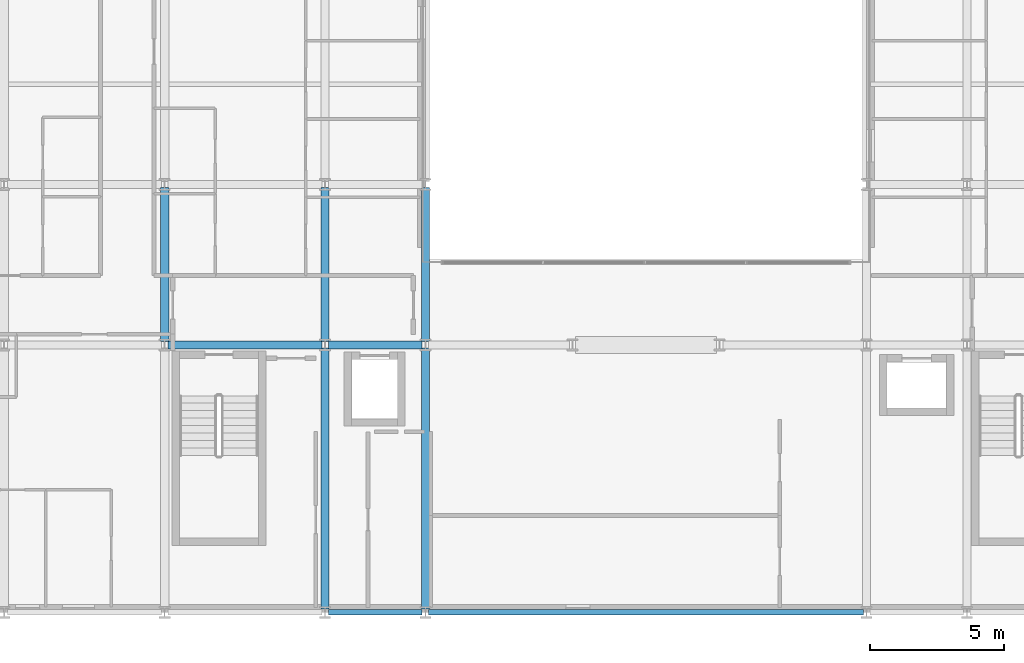
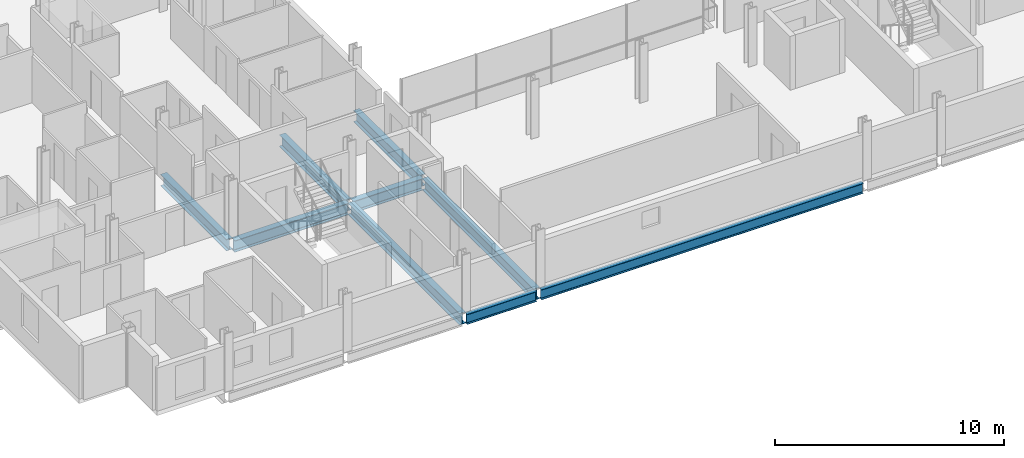
# One storey, part 3 of 38: 9 beams.
"""IFC4 building model written with IfcOpenShell, lengths in metres."""

from ifc_helpers import new_model, si_unit, direction, frame, origin, origin_2d, place, context, subcontext, project, spatial, i_section, extrude, material, material_profile, profile_set, type_object, element, save


model = new_model("IFC4")

# Units and contexts
model_context = context("Model", 3, precision=1e-05, world=origin(), true_north=direction((0.0, 1.0)))
body_context = subcontext(model_context, "Body", "Model", "MODEL_VIEW")
ifc_project = project(units=[si_unit("LENGTHUNIT", "METRE"), si_unit("AREAUNIT", "SQUARE_METRE"), si_unit("VOLUMEUNIT", "CUBIC_METRE"), si_unit("PLANEANGLEUNIT", "RADIAN"), si_unit("MASSUNIT", "GRAM", prefix="KILO")], contexts=[model_context])

# Site, building, storey
site_placement = place(None, origin())
site = spatial("IfcSite", under=ifc_project, at=site_placement, CompositionType="ELEMENT")
building_placement = place(site_placement, origin())
building = spatial("IfcBuilding", under=site, at=building_placement, Name="Brevholm Reach", CompositionType="ELEMENT")
storey_placement = place(building_placement, frame((0.0, 0.0, 71.39990234375)))
storey = spatial("IfcBuildingStorey", under=building, at=storey_placement, Name="L20", CompositionType="ELEMENT", Elevation=71.39990234375)

# Beams
ifc_material_1 = material(Name="Structural Steel S355J2", Category="steel")
ifc_material_profile_1 = material_profile(ifc_material_1, i_section(OverallWidth=0.210693359375, OverallDepth=0.53955078125, WebThickness=0.01171875, FlangeThickness=0.018798828125, FilletRadius=0.0126953125, at=origin_2d()), Name="UKB 533x210x109")
ifc_profile_set_1 = profile_set([ifc_material_profile_1], Name="Structural Steel S355J2")
beam_type_1 = type_object("IfcBeamType", Name="BM-SP539", PredefinedType="SPANDREL", material=ifc_profile_set_1)
beam_1_placement = place(storey_placement, frame((18.1201171875, 0.0, -0.499755859375), z_axis=(1.0, 0.0, 0.0), x_axis=(0.0, 1.0, 0.0)))
element("IfcBeam", 1, at=beam_1_placement, inside=storey, type_object=beam_type_1, Name="L20 SP-01B Framing Beam", PredefinedType="SPANDREL", context=body_context, shape_type="SweptSolid", body=[
    extrude(i_section(OverallWidth=0.210693359375, OverallDepth=0.53955078125, WebThickness=0.01171875, FlangeThickness=0.018798828125, FilletRadius=0.0126953125, at=origin_2d()), origin(), (0.0, 0.0, 1.0), 3.509765625),
])
beam_2_placement = place(storey_placement, frame((21.8701171875, 0.0, -0.499755859375), z_axis=(1.0, 0.0, 0.0), x_axis=(0.0, 1.0, 0.0)))
element("IfcBeam", 2, at=beam_2_placement, inside=storey, type_object=beam_type_1, Name="L20 SP-01B Framing Beam", PredefinedType="SPANDREL", context=body_context, shape_type="SweptSolid", body=[
    extrude(i_section(OverallWidth=0.210693359375, OverallDepth=0.53955078125, WebThickness=0.01171875, FlangeThickness=0.018798828125, FilletRadius=0.0126953125, at=origin_2d()), origin(), (0.0, 0.0, 1.0), 16.259765625),
])
ifc_material_2 = material(Name="Structural Steel S355J2", Category="steel")
ifc_material_profile_2 = material_profile(ifc_material_2, i_section(OverallWidth=0.30712890625, OverallDepth=0.6201171875, WebThickness=0.01416015625, FlangeThickness=0.023681640625, FilletRadius=0.0166015625, at=origin_2d()), Name="UKB 610x305x179")
ifc_profile_set_2 = profile_set([ifc_material_profile_2], Name="Structural Steel S355J2")
beam_type_2 = type_object("IfcBeamType", Name="BM-UKB610H", PredefinedType="USERDEFINED", material=ifc_profile_set_2)
beam_3_placement = place(storey_placement, frame((12.1201171875, 10.0, -0.5400390625), z_axis=(1.0, 0.0, 0.0), x_axis=(0.0, 1.0, 0.0)))
element("IfcBeam", 3, at=beam_3_placement, inside=storey, type_object=beam_type_2, Name="L20 G-06 Framing Beam", ObjectType="GIRDER", PredefinedType="USERDEFINED", context=body_context, shape_type="SweptSolid", body=[
    extrude(i_section(OverallWidth=0.30712890625, OverallDepth=0.6201171875, WebThickness=0.01416015625, FlangeThickness=0.023681640625, FilletRadius=0.0166015625, at=origin_2d()), origin(), (0.0, 0.0, 1.0), 5.759765625),
])
beam_4_placement = place(storey_placement, frame((18.1201171875, 10.0, -0.5400390625), z_axis=(1.0, 0.0, 0.0), x_axis=(0.0, 1.0, 0.0)))
element("IfcBeam", 4, at=beam_4_placement, inside=storey, type_object=beam_type_2, Name="L20 G-06 Framing Beam", ObjectType="GIRDER", PredefinedType="USERDEFINED", context=body_context, shape_type="SweptSolid", body=[
    extrude(i_section(OverallWidth=0.30712890625, OverallDepth=0.6201171875, WebThickness=0.01416015625, FlangeThickness=0.023681640625, FilletRadius=0.0166015625, at=origin_2d()), origin(), (0.0, 0.0, 1.0), 3.509765625),
])
beam_5_placement = place(storey_placement, frame((12.0, 10.1201171875, -0.5400390625), z_axis=(0.0, 1.0, 0.0), x_axis=(-1.0, 0.0, 0.0)))
element("IfcBeam", 5, at=beam_5_placement, inside=storey, type_object=beam_type_2, Name="L20 G-06 Framing Beam", ObjectType="GIRDER", PredefinedType="USERDEFINED", context=body_context, shape_type="SweptSolid", body=[
    extrude(i_section(OverallWidth=0.30712890625, OverallDepth=0.6201171875, WebThickness=0.01416015625, FlangeThickness=0.023681640625, FilletRadius=0.0166015625, at=origin_2d()), origin(), (0.0, 0.0, 1.0), 5.759765625),
])
beam_6_placement = place(storey_placement, frame((18.0, 0.1201171875, -0.5400390625), z_axis=(0.0, 1.0, 0.0), x_axis=(-1.0, 0.0, 0.0)))
element("IfcBeam", 6, at=beam_6_placement, inside=storey, type_object=beam_type_2, Name="L20 G-06 Framing Beam", ObjectType="GIRDER", PredefinedType="USERDEFINED", context=body_context, shape_type="SweptSolid", body=[
    extrude(i_section(OverallWidth=0.30712890625, OverallDepth=0.6201171875, WebThickness=0.01416015625, FlangeThickness=0.023681640625, FilletRadius=0.0166015625, at=origin_2d()), origin(), (0.0, 0.0, 1.0), 9.759765625),
])
beam_7_placement = place(storey_placement, frame((18.0, 10.1201171875, -0.5400390625), z_axis=(0.0, 1.0, 0.0), x_axis=(-1.0, 0.0, 0.0)))
element("IfcBeam", 7, at=beam_7_placement, inside=storey, type_object=beam_type_2, Name="L20 G-06 Framing Beam", ObjectType="GIRDER", PredefinedType="USERDEFINED", context=body_context, shape_type="SweptSolid", body=[
    extrude(i_section(OverallWidth=0.30712890625, OverallDepth=0.6201171875, WebThickness=0.01416015625, FlangeThickness=0.023681640625, FilletRadius=0.0166015625, at=origin_2d()), origin(), (0.0, 0.0, 1.0), 5.759765625),
])
beam_8_placement = place(storey_placement, frame((21.75, 0.1201171875, -0.5400390625), z_axis=(0.0, 1.0, 0.0), x_axis=(-1.0, 0.0, 0.0)))
element("IfcBeam", 8, at=beam_8_placement, inside=storey, type_object=beam_type_2, Name="L20 G-06 Framing Beam", ObjectType="GIRDER", PredefinedType="USERDEFINED", context=body_context, shape_type="SweptSolid", body=[
    extrude(i_section(OverallWidth=0.30712890625, OverallDepth=0.6201171875, WebThickness=0.01416015625, FlangeThickness=0.023681640625, FilletRadius=0.0166015625, at=origin_2d()), origin(), (0.0, 0.0, 1.0), 9.759765625),
])
beam_9_placement = place(storey_placement, frame((21.75, 10.1201171875, -0.5400390625), z_axis=(0.0, 1.0, 0.0), x_axis=(-1.0, 0.0, 0.0)))
element("IfcBeam", 9, at=beam_9_placement, inside=storey, type_object=beam_type_2, Name="L20 G-06 Framing Beam", ObjectType="GIRDER", PredefinedType="USERDEFINED", context=body_context, shape_type="SweptSolid", body=[
    extrude(i_section(OverallWidth=0.30712890625, OverallDepth=0.6201171875, WebThickness=0.01416015625, FlangeThickness=0.023681640625, FilletRadius=0.0166015625, at=origin_2d()), origin(), (0.0, 0.0, 1.0), 5.759765625),
])

save(model, "model.ifc")
